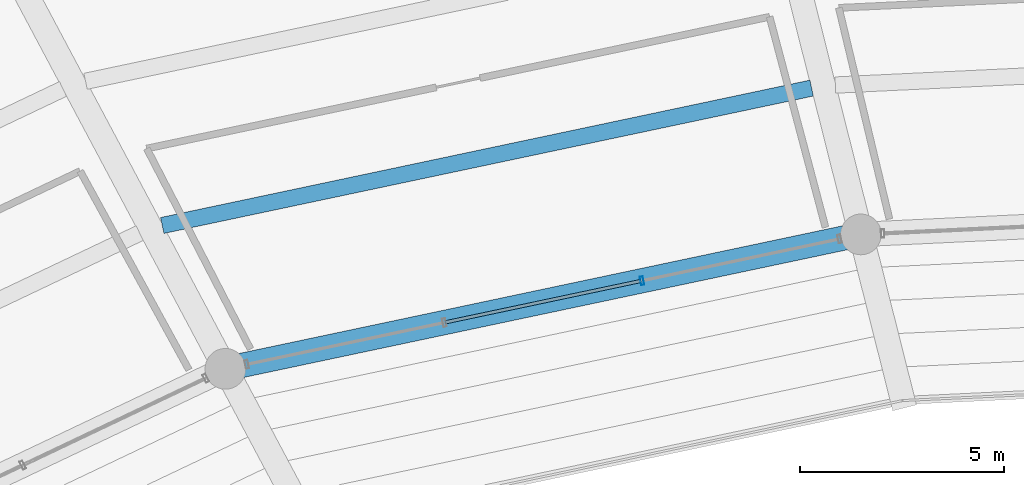
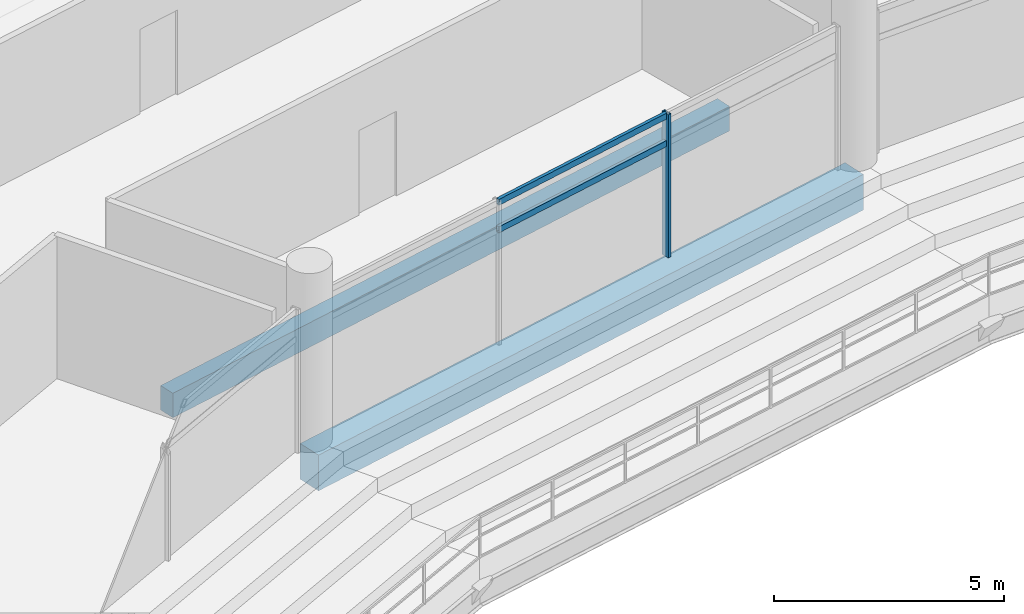
# One storey, part 91 of 171: 3 members, 2 beams, 1 element without a shape of its own.
"""IFC4 building model written with IfcOpenShell, lengths in metres."""

from ifc_helpers import new_model, si_unit, direction, frame, origin, origin_2d, place, context, subcontext, project, spatial, rectangle, hollow_rectangle, extrude, material, layer, layer_set, material_profile, profile_set, type_object, element, aggregate, save


model = new_model("IFC4")

# Units and contexts
model_context = context("Model", 3, precision=1e-05, world=origin(), true_north=direction((0.0, 1.0)))
body_context = subcontext(model_context, "Body", "Model", "MODEL_VIEW")
ifc_project = project(units=[si_unit("LENGTHUNIT", "METRE"), si_unit("AREAUNIT", "SQUARE_METRE"), si_unit("VOLUMEUNIT", "CUBIC_METRE"), si_unit("PLANEANGLEUNIT", "RADIAN"), si_unit("MASSUNIT", "GRAM", prefix="KILO")], contexts=[model_context])

# Site, building, storey
site_placement = place(None, origin())
site = spatial("IfcSite", under=ifc_project, at=site_placement, CompositionType="ELEMENT")
building_placement = place(site_placement, origin())
building = spatial("IfcBuilding", under=site, at=building_placement, Name="Kazemori Nagisa Stadium", CompositionType="ELEMENT")
storey_placement = place(building_placement, frame((0.0, 0.0, 15.639892578125)))
storey = spatial("IfcBuildingStorey", under=building, at=storey_placement, Name="L03", CompositionType="ELEMENT", Elevation=15.639892578125)

# Beams
ifc_material_1 = material(Name="Concrete C40/50 (Fc42)", Category="concrete")
ifc_material_profile_1 = material_profile(ifc_material_1, rectangle(XDim=0.60009765625, YDim=0.949951171875, at=origin_2d()), Name="RC-BM-600x950")
ifc_profile_set_1 = profile_set([ifc_material_profile_1], Name="Concrete C40/50 (Fc42)")
beam_type_1 = type_object("IfcBeamType", Name="Beam_BG-RC600X950", PredefinedType="BEAM", material=ifc_profile_set_1)
beam_1_placement = place(storey_placement, frame((107.35791015625, 164.040283203125, -0.73486328125), z_axis=(-0.978348272746, -0.206965352692, 0.0), x_axis=(0.206965352692, -0.978348272746, 0.0)))
element("IfcBeam", 1, at=beam_1_placement, inside=storey, type_object=beam_type_1, Name="Ring girder BG-RC600X950 L03 R1-09", PredefinedType="BEAM", context=body_context, shape_type="SweptSolid", body=[
    extrude(rectangle(XDim=0.60009765625, YDim=0.949951171875, at=origin_2d()), origin(), (0.0, 0.0, 1.0), 15.950927734375),
])
ifc_material_profile_2 = material_profile(ifc_material_1, rectangle(XDim=0.39990234375, YDim=0.64990234375, at=origin_2d()), Name="RC-BM-400x650")
ifc_profile_set_2 = profile_set([ifc_material_profile_2], Name="Concrete C40/50 (Fc42)")
beam_type_2 = type_object("IfcBeamType", Name="Beam_BJ-RC400X650", PredefinedType="JOIST", material=ifc_profile_set_2)
beam_2_placement = place(storey_placement, frame((106.147705078125, 167.6337890625, -0.5849609375), z_axis=(-0.978345737153, -0.206977338361, 0.0), x_axis=(0.206977338361, -0.978345737153, 0.0)))
element("IfcBeam", 2, at=beam_2_placement, inside=storey, type_object=beam_type_2, Name="Concourse joist BJ-RC400X650 L03 B09-1", PredefinedType="JOIST", context=body_context, shape_type="SweptSolid", body=[
    extrude(rectangle(XDim=0.39990234375, YDim=0.64990234375, at=origin_2d()), origin(), (0.0, 0.0, 1.0), 16.30029296875),
])

# Curtain wall, members
ifc_material_2 = material(Name="Anodised aluminium 6063-T5", Category="aluminium")
ifc_layer = layer(ifc_material_2, 0.2099609375, Name="Anodised aluminium 6063-T5", Category="aluminium")
ifc_layer_set = layer_set([ifc_layer], Name="Anodised aluminium 6063-T5")
curtain_wall_type = type_object("IfcCurtainWallType", Name="CW_L03B_75", PredefinedType="USERDEFINED", material=ifc_layer_set)
curtain_wall_placement = place(storey_placement, origin())
curtain_wall = element("IfcCurtainWall", 3, at=curtain_wall_placement, inside=storey, type_object=curtain_wall_type, Name="Unitised curtain wall CW-L03B-75 L03", ObjectType="UNITISED CURTAIN WALL", PredefinedType="USERDEFINED")
ifc_material_3 = material(Name="Aluminium 6063-T5 anodised", Category="aluminium")
ifc_material_profile_3 = material_profile(ifc_material_3, hollow_rectangle(XDim=0.080078125, YDim=0.2099609375, WallThickness=0.0048828125, at=origin_2d()), Name="ALU-MULL-80x210x5")
ifc_profile_set_3 = profile_set([ifc_material_profile_3], Name="Aluminium 6063-T5 anodised")
member_type_1 = type_object("IfcMemberType", Name="Mullion_M02", PredefinedType="MULLION", material=ifc_profile_set_3)
member_1_placement = place(storey_placement, frame((101.981689453125, 162.903076171875, 0.0), z_axis=(0.0, 0.0, 1.0), x_axis=(-0.978344955407, -0.206981033502, 0.0)))
member_1 = element("IfcMember", 4, at=member_1_placement, type_object=member_type_1, Name="Curtain wall mullion CW-L03B-75-M2", PredefinedType="MULLION", context=body_context, shape_type="SweptSolid", body=[
    extrude(hollow_rectangle(XDim=0.080078125, YDim=0.2099609375, WallThickness=0.0048828125, at=origin_2d()), origin(), (0.0, 0.0, 1.0), 3.81005859375),
])
ifc_material_profile_4 = material_profile(ifc_material_3, hollow_rectangle(XDim=0.080078125, YDim=0.159912109375, WallThickness=0.00390625, at=origin_2d()), Name="ALU-TRAN-80x160x4")
ifc_profile_set_4 = profile_set([ifc_material_profile_4], Name="Aluminium 6063-T5 anodised")
member_type_2 = type_object("IfcMemberType", Name="Transom_T02", PredefinedType="USERDEFINED", material=ifc_profile_set_4)
member_2_placement = place(storey_placement, frame((101.9619140625, 162.89892578125, 3.010009765625), z_axis=(-0.978336562441, -0.207020700878, 0.0), x_axis=(0.207020700878, -0.978336562441, 0.0)))
member_2 = element("IfcMember", 5, at=member_2_placement, type_object=member_type_2, Name="Curtain wall transom CW-L03B-75-T2-mid", ObjectType="TRANSOM", PredefinedType="USERDEFINED", context=body_context, shape_type="SweptSolid", body=[
    extrude(hollow_rectangle(XDim=0.080078125, YDim=0.159912109375, WallThickness=0.00390625, at=origin_2d()), origin(), (0.0, 0.0, 1.0), 4.920166015625),
])
member_3_placement = place(storey_placement, frame((101.9619140625, 162.89892578125, 3.739990234375), z_axis=(-0.978336562441, -0.207020700878, 0.0), x_axis=(0.207020700878, -0.978336562441, 0.0)))
member_3 = element("IfcMember", 6, at=member_3_placement, type_object=member_type_2, Name="Curtain wall transom CW-L03B-75-T2-head", ObjectType="TRANSOM", PredefinedType="USERDEFINED", context=body_context, shape_type="SweptSolid", body=[
    extrude(hollow_rectangle(XDim=0.080078125, YDim=0.159912109375, WallThickness=0.00390625, at=origin_2d()), origin(), (0.0, 0.0, 1.0), 4.920166015625),
])
aggregate(curtain_wall, [member_1, member_2, member_3])

save(model, "model.ifc")
